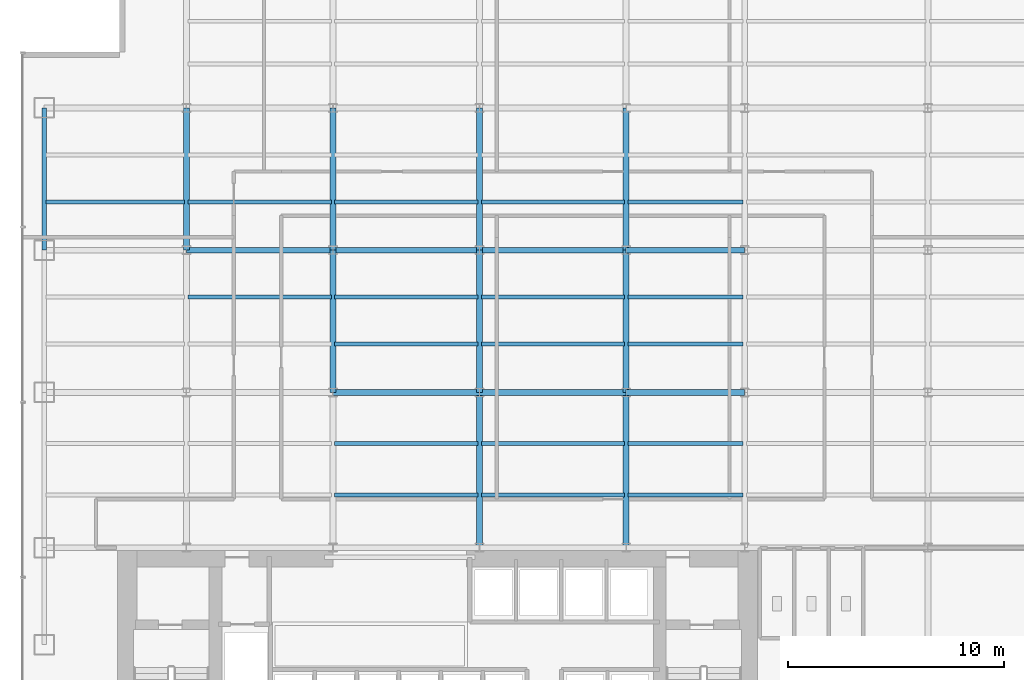
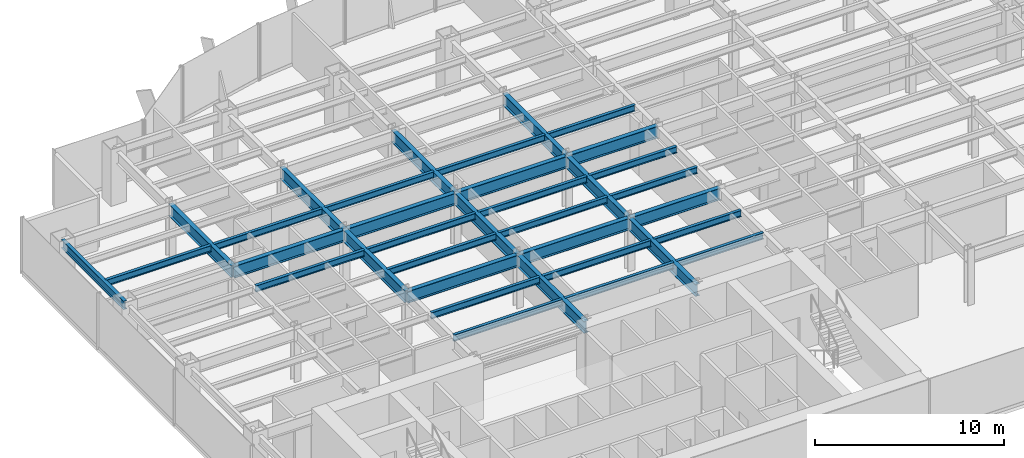
# One storey, part 5 of 22: 35 beams.
"""IFC4 building model written with IfcOpenShell, lengths in metres."""

from ifc_helpers import new_model, si_unit, derived_unit, direction, frame, origin, origin_2d, place, context, subcontext, project, spatial, i_section, extrude, source, transform, mapped, material, material_profile, profile_set, type_object, element, save


model = new_model("IFC4")

# Units and contexts
model_context = context("Model", 3, precision=1e-05, world=origin(), true_north=direction((0.0, 1.0)))
body_context = subcontext(model_context, "Body", "Model", "MODEL_VIEW")
ifc_project = project(units=[si_unit("LENGTHUNIT", "METRE"), si_unit("AREAUNIT", "SQUARE_METRE"), si_unit("VOLUMEUNIT", "CUBIC_METRE"), si_unit("PLANEANGLEUNIT", "RADIAN"), si_unit("MASSUNIT", "GRAM", prefix="KILO"), derived_unit("THERMALTRANSMITTANCEUNIT", [(si_unit("POWERUNIT", "WATT"), 1), (si_unit("LENGTHUNIT", "METRE"), -2), (si_unit("THERMODYNAMICTEMPERATUREUNIT", "KELVIN"), -1)])], contexts=[model_context])

# Site, building, storey
site_placement = place(None, origin())
site = spatial("IfcSite", under=ifc_project, at=site_placement, CompositionType="ELEMENT")
building_placement = place(site_placement, origin())
building = spatial("IfcBuilding", under=site, at=building_placement, Name="Skarnbrae Concourse Arena and Tower", CompositionType="ELEMENT")
storey_placement = place(building_placement, frame((0.0, 0.0, 36.14990234375)))
storey = spatial("IfcBuildingStorey", under=building, at=storey_placement, Name="L07", CompositionType="ELEMENT", Elevation=36.14990234375)

# Beams
ifc_material = material(Name="Steel CSA G40.21 350W", Category="steel")
ifc_material_profile_1 = material_profile(ifc_material, i_section(OverallWidth=0.26806640625, OverallDepth=0.77001953125, WebThickness=0.015625, FlangeThickness=0.025390625, at=origin_2d()), Name="W760X196")
ifc_profile_set_1 = profile_set([ifc_material_profile_1], Name="Steel CSA G40.21 350W")
beam_type_1 = type_object("IfcBeamType", Name="BM-GIRD-W760X196", PredefinedType="BEAM", material=ifc_profile_set_1)
shared_shape_1 = source(origin(), body_context, "Body", "SweptSolid", [
    extrude(i_section(OverallWidth=0.26806640625, OverallDepth=0.77001953125, WebThickness=0.015625, FlangeThickness=0.025390625, at=origin_2d()), origin(), (0.0, 0.0, 1.0), 6.60009765625),
])
for number, where, z_axis, x_axis, name in (
    (1, (14.39990234375, 21.199951171875, 3.01513671875), (0.0, 1.0, 0.0), (-1.0, 0.0, 0.0), "L07 Primary N-S girder X14.4-2"),
    (2, (21.199951171875, 21.199951171875, 3.01513671875), (0.0, 1.0, 0.0), (-1.0, 0.0, 0.0), "L07 Primary N-S girder X21.2-2"),
    (3, (28.0, 21.199951171875, 3.01513671875), (0.0, 1.0, 0.0), (-1.0, 0.0, 0.0), "L07 Primary N-S girder X28.0-2"),
):
    element("IfcBeam", number, at=place(storey_placement, frame(where, z_axis=z_axis, x_axis=x_axis)), inside=storey, type_object=beam_type_1, Name=name, PredefinedType="BEAM", context=body_context, shape_type="MappedRepresentation", body=[
        mapped(shared_shape_1, transform((0.0, 0.0, 0.0))),
    ])
shared_shape_2 = source(origin(), body_context, "Body", "SweptSolid", [
    extrude(i_section(OverallWidth=0.26806640625, OverallDepth=0.77001953125, WebThickness=0.015625, FlangeThickness=0.025390625, at=origin_2d()), origin(), (0.0, 0.0, 1.0), 6.7998046875),
])
beam_1_placement = place(storey_placement, frame((7.60009765625, 27.800048828125, 3.01513671875), z_axis=(1.0, 0.0, 0.0), x_axis=(0.0, 1.0, 0.0)))
element("IfcBeam", 4, at=beam_1_placement, inside=storey, type_object=beam_type_1, Name="L07 Primary E-W girder Y27.8-2", PredefinedType="BEAM", context=body_context, shape_type="MappedRepresentation", body=[
    mapped(shared_shape_2, transform((0.0, 0.0, 0.0))),
])
shared_shape_3 = source(origin(), body_context, "Body", "SweptSolid", [
    extrude(i_section(OverallWidth=0.26806640625, OverallDepth=0.77001953125, WebThickness=0.015625, FlangeThickness=0.025390625, at=origin_2d()), origin(), (0.0, 0.0, 1.0), 6.800048828125),
])
for number, where, z_axis, x_axis, name in (
    (5, (14.39990234375, 21.199951171875, 3.01513671875), (1.0, 0.0, 0.0), (0.0, 1.0, 0.0), "L07 Primary E-W girder Y21.2-3"),
    (6, (21.199951171875, 21.199951171875, 3.01513671875), (1.0, 0.0, 0.0), (0.0, 1.0, 0.0), "L07 Primary E-W girder Y21.2-4"),
    (7, (14.39990234375, 27.800048828125, 3.01513671875), (1.0, 0.0, 0.0), (0.0, 1.0, 0.0), "L07 Primary E-W girder Y27.8-3"),
    (8, (21.199951171875, 27.800048828125, 3.01513671875), (1.0, 0.0, 0.0), (0.0, 1.0, 0.0), "L07 Primary E-W girder Y27.8-4"),
):
    element("IfcBeam", number, at=place(storey_placement, frame(where, z_axis=z_axis, x_axis=x_axis)), inside=storey, type_object=beam_type_1, Name=name, PredefinedType="BEAM", context=body_context, shape_type="MappedRepresentation", body=[
        mapped(shared_shape_3, transform((0.0, 0.0, 0.0))),
    ])
shared_shape_4 = source(origin(), body_context, "Body", "SweptSolid", [
    extrude(i_section(OverallWidth=0.26806640625, OverallDepth=0.77001953125, WebThickness=0.015625, FlangeThickness=0.025390625, at=origin_2d()), origin(), (0.0, 0.0, 1.0), 5.5),
])
for number, where, z_axis, x_axis, name in (
    (9, (28.0, 21.199951171875, 3.01513671875), (1.0, 0.0, 0.0), (0.0, 1.0, 0.0), "L07 Primary E-W girder Y21.2-5"),
    (10, (28.0, 27.800048828125, 3.01513671875), (1.0, 0.0, 0.0), (0.0, 1.0, 0.0), "L07 Primary E-W girder Y27.8-5"),
):
    element("IfcBeam", number, at=place(storey_placement, frame(where, z_axis=z_axis, x_axis=x_axis)), inside=storey, type_object=beam_type_1, Name=name, PredefinedType="BEAM", context=body_context, shape_type="MappedRepresentation", body=[
        mapped(shared_shape_4, transform((0.0, 0.0, 0.0))),
    ])
ifc_material_profile_2 = material_profile(ifc_material, i_section(OverallWidth=0.214111328125, OverallDepth=0.549072265625, WebThickness=0.0146484375, FlangeThickness=0.023681640625, at=origin_2d()), Name="W530X138")
ifc_profile_set_2 = profile_set([ifc_material_profile_2], Name="Steel CSA G40.21 350W")
beam_type_2 = type_object("IfcBeamType", Name="BM-SPAN-W530X138", PredefinedType="SPANDREL", material=ifc_profile_set_2)
shared_shape_5 = source(origin(), body_context, "Body", "SweptSolid", [
    extrude(i_section(OverallWidth=0.214111328125, OverallDepth=0.549072265625, WebThickness=0.0146484375, FlangeThickness=0.023681640625, at=origin_2d()), origin(), (0.0, 0.0, 1.0), 6.599853515625),
])
beam_2_placement = place(storey_placement, frame((1.0, 27.800048828125, 3.12548828125), z_axis=(0.0, 1.0, 0.0), x_axis=(-1.0, 0.0, 0.0)))
element("IfcBeam", 11, at=beam_2_placement, inside=storey, type_object=beam_type_2, Name="L07 Perimeter spandrel X1.0-4", PredefinedType="SPANDREL", context=body_context, shape_type="MappedRepresentation", body=[
    mapped(shared_shape_5, transform((0.0, 0.0, 0.0))),
])
shared_shape_6 = source(origin(), body_context, "Body", "SweptSolid", [
    extrude(i_section(OverallWidth=0.26806640625, OverallDepth=0.77001953125, WebThickness=0.015625, FlangeThickness=0.025390625, at=origin_2d()), origin(), (0.0, 0.0, 1.0), 7.199951171875),
])
for number, where, z_axis, x_axis, name in (
    (12, (21.199951171875, 14.0, 3.01513671875), (0.0, 1.0, 0.0), (-1.0, 0.0, 0.0), "L07 Primary N-S girder X21.2-1"),
    (13, (28.0, 14.0, 3.01513671875), (0.0, 1.0, 0.0), (-1.0, 0.0, 0.0), "L07 Primary N-S girder X28.0-1"),
):
    element("IfcBeam", number, at=place(storey_placement, frame(where, z_axis=z_axis, x_axis=x_axis)), inside=storey, type_object=beam_type_1, Name=name, PredefinedType="BEAM", context=body_context, shape_type="MappedRepresentation", body=[
        mapped(shared_shape_6, transform((0.0, 0.0, 0.0))),
    ])
shared_shape_7 = source(origin(), body_context, "Body", "SweptSolid", [
    extrude(i_section(OverallWidth=0.26806640625, OverallDepth=0.77001953125, WebThickness=0.015625, FlangeThickness=0.025390625, at=origin_2d()), origin(), (0.0, 0.0, 1.0), 6.599853515625),
])
for number, where, z_axis, x_axis, name in (
    (14, (7.60009765625, 27.800048828125, 3.01513671875), (0.0, 1.0, 0.0), (-1.0, 0.0, 0.0), "L07 Primary N-S girder X7.6-3"),
    (15, (14.39990234375, 27.800048828125, 3.01513671875), (0.0, 1.0, 0.0), (-1.0, 0.0, 0.0), "L07 Primary N-S girder X14.4-3"),
    (16, (21.199951171875, 27.800048828125, 3.01513671875), (0.0, 1.0, 0.0), (-1.0, 0.0, 0.0), "L07 Primary N-S girder X21.2-3"),
    (17, (28.0, 27.800048828125, 3.01513671875), (0.0, 1.0, 0.0), (-1.0, 0.0, 0.0), "L07 Primary N-S girder X28.0-3"),
):
    element("IfcBeam", number, at=place(storey_placement, frame(where, z_axis=z_axis, x_axis=x_axis)), inside=storey, type_object=beam_type_1, Name=name, PredefinedType="BEAM", context=body_context, shape_type="MappedRepresentation", body=[
        mapped(shared_shape_7, transform((0.0, 0.0, 0.0))),
    ])
ifc_material_profile_3 = material_profile(ifc_material, i_section(OverallWidth=0.180908203125, OverallDepth=0.4169921875, WebThickness=0.010986328125, FlangeThickness=0.018310546875, at=origin_2d()), Name="W410X85")
ifc_profile_set_3 = profile_set([ifc_material_profile_3], Name="Steel CSA G40.21 350W")
beam_type_3 = type_object("IfcBeamType", Name="BM-JOIST-W410X85", PredefinedType="JOIST", material=ifc_profile_set_3)
shared_shape_8 = source(origin(), body_context, "Body", "SweptSolid", [
    extrude(i_section(OverallWidth=0.180908203125, OverallDepth=0.4169921875, WebThickness=0.010986328125, FlangeThickness=0.018310546875, at=origin_2d()), origin(), (0.0, 0.0, 1.0), 6.43994140625),
])
beam_3_placement = place(storey_placement, frame((1.080078125, 30.0439453125, 3.191650390625), z_axis=(1.0, 0.0, 0.0), x_axis=(0.0, 1.0, 0.0)))
element("IfcBeam", 18, at=beam_3_placement, inside=storey, type_object=beam_type_3, Name="L07 Secondary floor joist 3.1.1", PredefinedType="JOIST", context=body_context, shape_type="MappedRepresentation", body=[
    mapped(shared_shape_8, transform((0.0, 0.0, 0.0))),
])
shared_shape_9 = source(origin(), body_context, "Body", "SweptSolid", [
    extrude(i_section(OverallWidth=0.180908203125, OverallDepth=0.4169921875, WebThickness=0.010986328125, FlangeThickness=0.018310546875, at=origin_2d()), origin(), (0.0, 0.0, 1.0), 6.64013671875),
])
for number, where, z_axis, x_axis, name in (
    (19, (14.47998046875, 16.447998046875, 3.191650390625), (1.0, 0.0, 0.0), (0.0, 1.0, 0.0), "L07 Secondary floor joist 1.1.3"),
    (20, (14.47998046875, 18.823974609375, 3.191650390625), (1.0, 0.0, 0.0), (0.0, 1.0, 0.0), "L07 Secondary floor joist 1.2.3"),
    (21, (14.47998046875, 23.444091796875, 3.191650390625), (1.0, 0.0, 0.0), (0.0, 1.0, 0.0), "L07 Secondary floor joist 2.1.3"),
    (22, (7.679931640625, 25.6220703125, 3.191650390625), (1.0, 0.0, 0.0), (0.0, 1.0, 0.0), "L07 Secondary floor joist 2.2.2"),
    (23, (14.47998046875, 25.6220703125, 3.191650390625), (1.0, 0.0, 0.0), (0.0, 1.0, 0.0), "L07 Secondary floor joist 2.2.3"),
    (24, (7.679931640625, 30.0439453125, 3.191650390625), (1.0, 0.0, 0.0), (0.0, 1.0, 0.0), "L07 Secondary floor joist 3.1.2"),
    (25, (14.47998046875, 30.0439453125, 3.191650390625), (1.0, 0.0, 0.0), (0.0, 1.0, 0.0), "L07 Secondary floor joist 3.1.3"),
):
    element("IfcBeam", number, at=place(storey_placement, frame(where, z_axis=z_axis, x_axis=x_axis)), inside=storey, type_object=beam_type_3, Name=name, PredefinedType="JOIST", context=body_context, shape_type="MappedRepresentation", body=[
        mapped(shared_shape_9, transform((0.0, 0.0, 0.0))),
    ])
shared_shape_10 = source(origin(), body_context, "Body", "SweptSolid", [
    extrude(i_section(OverallWidth=0.180908203125, OverallDepth=0.4169921875, WebThickness=0.010986328125, FlangeThickness=0.018310546875, at=origin_2d()), origin(), (0.0, 0.0, 1.0), 6.639892578125),
])
for number, where, z_axis, x_axis, name in (
    (26, (21.280029296875, 16.447998046875, 3.191650390625), (1.0, 0.0, 0.0), (0.0, 1.0, 0.0), "L07 Secondary floor joist 1.1.4"),
    (27, (21.280029296875, 18.823974609375, 3.191650390625), (1.0, 0.0, 0.0), (0.0, 1.0, 0.0), "L07 Secondary floor joist 1.2.4"),
    (28, (21.280029296875, 23.444091796875, 3.191650390625), (1.0, 0.0, 0.0), (0.0, 1.0, 0.0), "L07 Secondary floor joist 2.1.4"),
    (29, (21.280029296875, 25.6220703125, 3.191650390625), (1.0, 0.0, 0.0), (0.0, 1.0, 0.0), "L07 Secondary floor joist 2.2.4"),
    (30, (21.280029296875, 30.0439453125, 3.191650390625), (1.0, 0.0, 0.0), (0.0, 1.0, 0.0), "L07 Secondary floor joist 3.1.4"),
):
    element("IfcBeam", number, at=place(storey_placement, frame(where, z_axis=z_axis, x_axis=x_axis)), inside=storey, type_object=beam_type_3, Name=name, PredefinedType="JOIST", context=body_context, shape_type="MappedRepresentation", body=[
        mapped(shared_shape_10, transform((0.0, 0.0, 0.0))),
    ])
shared_shape_11 = source(origin(), body_context, "Body", "SweptSolid", [
    extrude(i_section(OverallWidth=0.180908203125, OverallDepth=0.4169921875, WebThickness=0.010986328125, FlangeThickness=0.018310546875, at=origin_2d()), origin(), (0.0, 0.0, 1.0), 5.33984375),
])
for number, where, z_axis, x_axis, name in (
    (31, (28.080078125, 16.447998046875, 3.191650390625), (1.0, 0.0, 0.0), (0.0, 1.0, 0.0), "L07 Secondary floor joist 1.1.5"),
    (32, (28.080078125, 18.823974609375, 3.191650390625), (1.0, 0.0, 0.0), (0.0, 1.0, 0.0), "L07 Secondary floor joist 1.2.5"),
    (33, (28.080078125, 23.444091796875, 3.191650390625), (1.0, 0.0, 0.0), (0.0, 1.0, 0.0), "L07 Secondary floor joist 2.1.5"),
    (34, (28.080078125, 25.6220703125, 3.191650390625), (1.0, 0.0, 0.0), (0.0, 1.0, 0.0), "L07 Secondary floor joist 2.2.5"),
    (35, (28.080078125, 30.0439453125, 3.191650390625), (1.0, 0.0, 0.0), (0.0, 1.0, 0.0), "L07 Secondary floor joist 3.1.5"),
):
    element("IfcBeam", number, at=place(storey_placement, frame(where, z_axis=z_axis, x_axis=x_axis)), inside=storey, type_object=beam_type_3, Name=name, PredefinedType="JOIST", context=body_context, shape_type="MappedRepresentation", body=[
        mapped(shared_shape_11, transform((0.0, 0.0, 0.0))),
    ])

save(model, "model.ifc")
